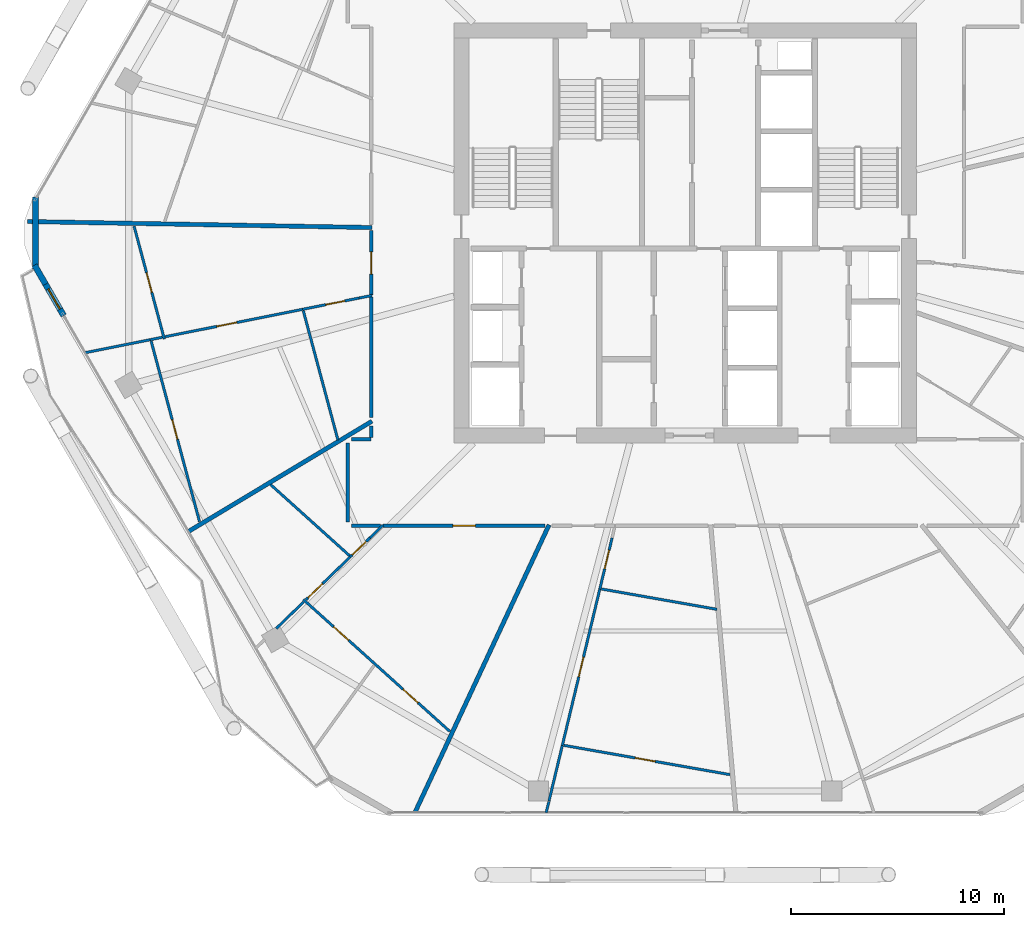
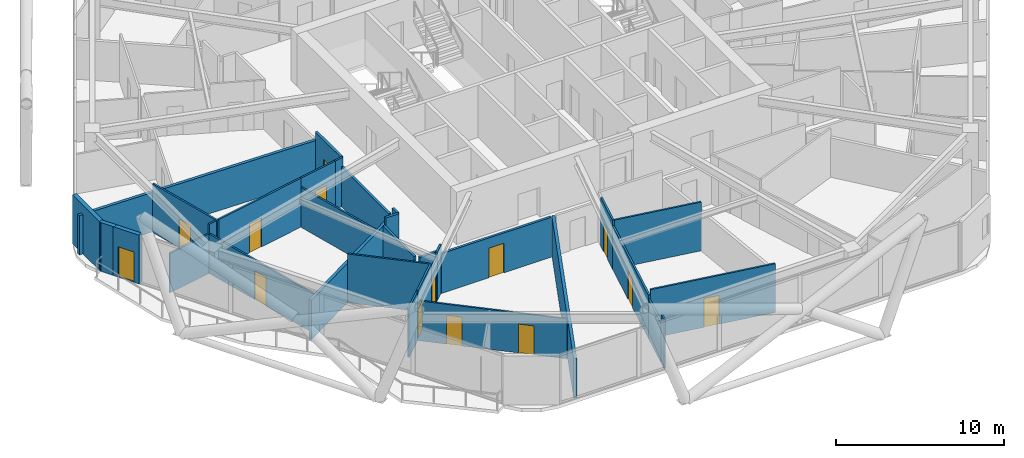
# One storey, part 19 of 27: 33 walls, 14 doors, 14 openings.
"""IFC4 building model written with IfcOpenShell, lengths in metres."""

from ifc_helpers import new_model, si_unit, direction, frame, frame_2d, origin, place, context, subcontext, project, spatial, rectangle, extrude, material, layer, layer_set, type_object, element, fill, save


model = new_model("IFC4")

# Units and contexts
model_context = context("Model", 3, precision=1e-05, world=origin(), true_north=direction((0.0, 1.0)))
body_context = subcontext(model_context, "Body", "Model", "MODEL_VIEW")
ifc_project = project(units=[si_unit("LENGTHUNIT", "METRE"), si_unit("AREAUNIT", "SQUARE_METRE"), si_unit("VOLUMEUNIT", "CUBIC_METRE"), si_unit("PLANEANGLEUNIT", "RADIAN"), si_unit("MASSUNIT", "GRAM", prefix="KILO")], contexts=[model_context])

# Site, building, storey
site_placement = place(None, origin())
site = spatial("IfcSite", under=ifc_project, at=site_placement, CompositionType="ELEMENT")
building_placement = place(site_placement, origin())
building = spatial("IfcBuilding", under=site, at=building_placement, Name="Zuhravey Tower", CompositionType="ELEMENT")
storey_placement = place(building_placement, frame((0.0, 0.0, 215.0)))
storey = spatial("IfcBuildingStorey", under=building, at=storey_placement, Name="L54", CompositionType="ELEMENT", Elevation=215.0)

# Wall, opening, door
ifc_material_1 = material(Name="Gypsum fire-rated stud partition")
ifc_layer_1 = layer(ifc_material_1, 0.159912109375)
ifc_layer_set_1 = layer_set([ifc_layer_1], Name="Gypsum fire-rated stud partition")
wall_type_1 = type_object("IfcWallType", Name="Corridor Fire Partition 160", PredefinedType="PARTITIONING", material=ifc_layer_set_1)
wall_1_placement = place(storey_placement, frame((21.27001953125, 32.1083984375, 0.0), z_axis=(0.0, 0.0, 1.0), x_axis=(0.0, -1.0, 0.0)))
wall_1 = element("IfcWall", 1, at=wall_1_placement, inside=storey, type_object=wall_type_1, Name="L54 IW16 Partition 046", PredefinedType="PARTITIONING", context=body_context, shape_type="SweptSolid", body=[
    extrude(rectangle(XDim=3.02587890625, YDim=0.159912109375, at=frame_2d((1.512939453125, 0.0))), origin(), (0.0, 0.0, 1.0), 3.550048828125),
])
opening_1_placement = place(wall_1_placement, frame((0.988037109375, 0.0, 0.0)))
opening_1 = element("IfcOpeningElement", 2, at=opening_1_placement, cuts=wall_1, Name="Opening APD1", PredefinedType="OPENING", context=body_context, shape_type="SweptSolid", body=[
    extrude(rectangle(XDim=1.050048828125, YDim=2.14990234375, at=frame_2d((0.52490234375, 1.074951171875))), frame((0.0, 0.092041015625, 0.0), z_axis=(0.0, -1.0, 0.0), x_axis=(1.0, 0.0, 0.0)), (0.0, 0.0, 1.0), 0.183837890625),
])
ifc_material_2 = material(Name="Solid-core oak fire-rated leaf")
door_type_1 = type_object("IfcDoorType", Name="Apartment Entrance Fire Door 1050x2150", OperationType="NOTDEFINED", PredefinedType="DOOR", material=ifc_material_2)
door_1_placement = place(opening_1_placement, frame((1.050048828125, 0.0, 0.0), z_axis=(0.0, 0.0, 1.0), x_axis=(-1.0, 0.0, 0.0)))
door_1 = element("IfcDoor", 3, at=door_1_placement, inside=storey, type_object=door_type_1, Name="L54 Door 046.1", OperationType="SINGLE_SWING_RIGHT", OverallHeight=2.14990234375, OverallWidth=1.050048828125, PredefinedType="DOOR", context=body_context, shape_type="SweptSolid", body=[
    extrude(rectangle(XDim=1.050048828125, YDim=2.14990234375, at=frame_2d((0.52490234375, 1.074951171875))), frame((0.0, 0.02490234375, 0.0), z_axis=(0.0, -1.0, 0.0), x_axis=(1.0, 0.0, 0.0)), (0.0, 0.0, 1.0), 0.050048828125),
])
fill(opening_1, door_1)

wall_2_placement = place(storey_placement, frame((21.830810546875, 18.27001953125, 0.0), z_axis=(0.0, 0.0, 1.0), x_axis=(1.0, 0.0, 0.0)))
wall_2 = element("IfcWall", 4, at=wall_2_placement, inside=storey, type_object=wall_type_1, Name="L54 IW16 Partition 051", PredefinedType="PARTITIONING", context=body_context, shape_type="SweptSolid", body=[
    extrude(rectangle(XDim=7.59814453125, YDim=0.159912109375, at=frame_2d((3.799072265625, 0.0))), origin(), (0.0, 0.0, 1.0), 2.89990234375),
])
opening_2_placement = place(wall_2_placement, frame((3.274169921875, 0.0, 0.0)))
opening_2 = element("IfcOpeningElement", 5, at=opening_2_placement, cuts=wall_2, Name="Opening APD1", PredefinedType="OPENING", context=body_context, shape_type="SweptSolid", body=[
    extrude(rectangle(XDim=1.050048828125, YDim=2.14990234375, at=frame_2d((0.52490234375, 1.074951171875))), frame((0.0, 0.092041015625, 0.0), z_axis=(0.0, -1.0, 0.0), x_axis=(1.0, 0.0, 0.0)), (0.0, 0.0, 1.0), 0.183837890625),
])
door_2_placement = place(opening_2_placement, frame((1.050048828125, 0.0, 0.0), z_axis=(0.0, 0.0, 1.0), x_axis=(-1.0, 0.0, 0.0)))
door_2 = element("IfcDoor", 6, at=door_2_placement, inside=storey, type_object=door_type_1, Name="L54 Door 051.1", OperationType="SINGLE_SWING_LEFT", OverallHeight=2.14990234375, OverallWidth=1.050048828125, PredefinedType="DOOR", context=body_context, shape_type="SweptSolid", body=[
    extrude(rectangle(XDim=1.050048828125, YDim=2.14990234375, at=frame_2d((0.52490234375, 1.074951171875))), frame((0.0, 0.02490234375, 0.0), z_axis=(0.0, -1.0, 0.0), x_axis=(1.0, 0.0, 0.0)), (0.0, 0.0, 1.0), 0.050048828125),
])
fill(opening_2, door_2)

# Walls
wall_3_placement = place(storey_placement, frame((21.27001953125, 28.99267578125, 0.0), z_axis=(0.0, 0.0, 1.0), x_axis=(0.0, -1.0, 0.0)))
element("IfcWall", 7, at=wall_3_placement, inside=storey, type_object=wall_type_1, Name="L54 IW16 Partition 129", PredefinedType="PARTITIONING", context=body_context, shape_type="SweptSolid", body=[
    extrude(rectangle(XDim=5.64599609375, YDim=0.159912109375, at=frame_2d((2.822998046875, 0.0))), origin(), (0.0, 0.0, 1.0), 2.89990234375),
])
wall_4_placement = place(storey_placement, frame((20.169921875, 22.14990234375, 0.0), z_axis=(0.0, 0.0, 1.0), x_axis=(0.0, -1.0, 0.0)))
element("IfcWall", 8, at=wall_4_placement, inside=storey, type_object=wall_type_1, Name="L54 IW16 Partition 130", PredefinedType="PARTITIONING", context=body_context, shape_type="SweptSolid", body=[
    extrude(rectangle(XDim=3.699951171875, YDim=0.159912109375, at=frame_2d((1.85009765625, 0.0))), origin(), (0.0, 0.0, 1.0), 3.14990234375),
])
wall_5_placement = place(storey_placement, frame((20.35009765625, 18.27001953125, 0.0), z_axis=(0.0, 0.0, 1.0), x_axis=(1.0, 0.0, 0.0)))
element("IfcWall", 9, at=wall_5_placement, inside=storey, type_object=wall_type_1, Name="L54 IW16 Partition 131", PredefinedType="PARTITIONING", context=body_context, shape_type="SweptSolid", body=[
    extrude(rectangle(XDim=1.35400390625, YDim=0.159912109375, at=frame_2d((0.677001953125, 0.0))), origin(), (0.0, 0.0, 1.0), 3.14990234375),
])
wall_6_placement = place(storey_placement, frame((21.27001953125, 22.330078125, 0.0), z_axis=(0.0, 0.0, 1.0), x_axis=(-1.0, 0.0, 0.0)))
element("IfcWall", 10, at=wall_6_placement, inside=storey, type_object=wall_type_1, Name="L54 IW16 Partition 132", PredefinedType="PARTITIONING", context=body_context, shape_type="SweptSolid", body=[
    extrude(rectangle(XDim=0.919921875, YDim=0.159912109375, at=frame_2d((0.4599609375, 0.0))), origin(), (0.0, 0.0, 1.0), 3.550048828125),
])
wall_7_placement = place(storey_placement, frame((21.27001953125, 22.949951171875, 0.0), z_axis=(0.0, 0.0, 1.0), x_axis=(0.0, -1.0, 0.0)))
element("IfcWall", 11, at=wall_7_placement, inside=storey, type_object=wall_type_1, Name="L54 IW16 Partition 133", PredefinedType="PARTITIONING", context=body_context, shape_type="SweptSolid", body=[
    extrude(rectangle(XDim=0.531982421875, YDim=0.159912109375, at=frame_2d((0.26611328125, 0.0))), origin(), (0.0, 0.0, 1.0), 3.550048828125),
])

# Wall, opening, door
ifc_material_3 = material(Name="Precast concrete C40/50", Category="concrete")
ifc_layer_2 = layer(ifc_material_3, 0.280029296875)
ifc_layer_set_2 = layer_set([ifc_layer_2], Name="Precast concrete C40/50")
wall_type_2 = type_object("IfcWallType", Name="Crown Architectural Wall 280", PredefinedType="SOLIDWALL", material=ifc_layer_set_2)
wall_8_placement = place(storey_placement, frame((6.847412109375, 28.127197265625, 0.0), z_axis=(0.0, 0.0, 1.0), x_axis=(-0.499982180423, 0.866035691677, 0.0)))
wall_8 = element("IfcWall", 12, at=wall_8_placement, inside=storey, type_object=wall_type_2, Name="L54 Face 4 Facade Pier EW28-1", PredefinedType="SOLIDWALL", context=body_context, shape_type="SweptSolid", body=[
    extrude(rectangle(XDim=1.7900390625, YDim=0.280029296875, at=frame_2d((0.89501953125, 0.0))), origin(), (0.0, 0.0, 1.0), 3.550048828125),
])
opening_3_placement = place(wall_8_placement, frame((0.344970703125, 0.0, 0.0)))
opening_3 = element("IfcOpeningElement", 13, at=opening_3_placement, cuts=wall_8, Name="Opening BLD1", PredefinedType="OPENING", context=body_context, shape_type="SweptSolid", body=[
    extrude(rectangle(XDim=1.10009765625, YDim=2.199951171875, at=frame_2d((0.550048828125, 1.10009765625))), frame((0.0, 0.152099609375, 0.0), z_axis=(0.0, -1.0, 0.0), x_axis=(1.0, 0.0, 0.0)), (0.0, 0.0, 1.0), 0.303955078125),
])
ifc_material_4 = material(Name="Thermally broken aluminium and low-E glass", Category="aluminium")
door_type_2 = type_object("IfcDoorType", Name="Balcony & Sky-Tray Glazed Door 1100x2200", OperationType="NOTDEFINED", PredefinedType="DOOR", material=ifc_material_4)
door_3_placement = place(opening_3_placement, frame((1.10009765625, 0.0, 0.0), z_axis=(0.0, 0.0, 1.0), x_axis=(-1.0, 0.0, 0.0)))
door_3 = element("IfcDoor", 14, at=door_3_placement, inside=storey, type_object=door_type_2, Name="L54 Face 4 Wave Balcony Door", OperationType="SINGLE_SWING_LEFT", OverallHeight=2.199951171875, OverallWidth=1.10009765625, PredefinedType="DOOR", context=body_context, shape_type="SweptSolid", body=[
    extrude(rectangle(XDim=1.10009765625, YDim=2.199951171875, at=frame_2d((0.550048828125, 1.10009765625))), frame((0.0, 0.02490234375, 0.0), z_axis=(0.0, -1.0, 0.0), x_axis=(1.0, 0.0, 0.0)), (0.0, 0.0, 1.0), 0.050048828125),
])
fill(opening_3, door_3)

# Walls
wall_9_placement = place(storey_placement, frame((5.99755859375, 29.599609375, 0.0), z_axis=(0.0, 0.0, 1.0), x_axis=(-0.499974592989, 0.866040072032, 0.0)))
element("IfcWall", 15, at=wall_9_placement, inside=storey, type_object=wall_type_2, Name="L54 Face 4 Closure Pier EW28", PredefinedType="SOLIDWALL", context=body_context, shape_type="SweptSolid", body=[
    extrude(rectangle(XDim=1.03369140625, YDim=0.280029296875, at=frame_2d((0.516845703125, 0.0))), origin(), (0.0, 0.0, 1.0), 3.550048828125),
])
wall_10_placement = place(storey_placement, frame((5.5283203125, 30.3173828125, 0.0), z_axis=(0.0, 0.0, 1.0), x_axis=(0.0, 1.0, 0.0)))
element("IfcWall", 16, at=wall_10_placement, inside=storey, type_object=wall_type_2, Name="L54 Rounded Corner Closure Wall EW28-06", PredefinedType="SOLIDWALL", context=body_context, shape_type="SweptSolid", body=[
    extrude(rectangle(XDim=3.365234375, YDim=0.280029296875, at=frame_2d((1.6826171875, 0.0))), origin(), (0.0, 0.0, 1.0), 3.550048828125),
])
ifc_material_5 = material(Name="Gypsum double-stud party assembly")
ifc_layer_3 = layer(ifc_material_5, 0.199951171875)
ifc_layer_set_3 = layer_set([ifc_layer_3], Name="Gypsum double-stud party assembly")
wall_type_3 = type_object("IfcWallType", Name="Inter-Tenancy Party Wall 200", PredefinedType="PARTITIONING", material=ifc_layer_set_3)
wall_11_placement = place(storey_placement, frame((21.31005859375, 32.25634765625, 0.0), z_axis=(0.0, 0.0, 1.0), x_axis=(-0.999847675861, 0.017453511821, 0.0)))
element("IfcWall", 17, at=wall_11_placement, inside=storey, type_object=wall_type_3, Name="L54 IW20 Partition 095", PredefinedType="PARTITIONING", context=body_context, shape_type="SweptSolid", body=[
    extrude(rectangle(XDim=16.170166015625, YDim=0.199951171875, at=frame_2d((8.0849609375, 0.0))), origin(), (0.0, 0.0, 1.0), 2.8701171875),
])
wall_12_placement = place(storey_placement, frame((21.31005859375, 23.17333984375, 0.0), z_axis=(0.0, 0.0, 1.0), x_axis=(-0.857169072729, -0.515035125751, 0.0)))
element("IfcWall", 18, at=wall_12_placement, inside=storey, type_object=wall_type_3, Name="L54 IW20 Partition 099", PredefinedType="PARTITIONING", context=body_context, shape_type="SweptSolid", body=[
    extrude(rectangle(XDim=10.04931640625, YDim=0.199951171875, at=frame_2d((5.024658203125, 0.0))), origin(), (0.0, 0.0, 1.0), 2.8701171875),
])
wall_13_placement = place(storey_placement, frame((29.6162109375, 18.31005859375, 0.0), z_axis=(0.0, 0.0, 1.0), x_axis=(-0.422619721154, -0.9063071065, 0.0)))
element("IfcWall", 19, at=wall_13_placement, inside=storey, type_object=wall_type_3, Name="L54 IW20 Partition 104", PredefinedType="PARTITIONING", context=body_context, shape_type="SweptSolid", body=[
    extrude(rectangle(XDim=14.88818359375, YDim=0.199951171875, at=frame_2d((7.444091796875, 0.0))), origin(), (0.0, 0.0, 1.0), 2.8701171875),
])

# Wall, opening, door
ifc_material_6 = material(Name="Gypsum metal-stud partition")
ifc_layer_4 = layer(ifc_material_6, 0.1201171875)
ifc_layer_set_4 = layer_set([ifc_layer_4], Name="Gypsum metal-stud partition")
wall_type_4 = type_object("IfcWallType", Name="Unit Internal Partition 120", PredefinedType="PARTITIONING", material=ifc_layer_set_4)
wall_14_placement = place(storey_placement, frame((10.149169921875, 32.32568359375, 0.0), z_axis=(0.0, 0.0, 1.0), x_axis=(0.258800576513, -0.965930774743, 0.0)))
wall_14 = element("IfcWall", 20, at=wall_14_placement, inside=storey, type_object=wall_type_4, Name="L54 IW12 Partition 041", PredefinedType="PARTITIONING", context=body_context, shape_type="SweptSolid", body=[
    extrude(rectangle(XDim=5.487548828125, YDim=0.1201171875, at=frame_2d((2.74365234375, 0.0))), origin(), (0.0, 0.0, 1.0), 3.550048828125),
])
opening_4_placement = place(wall_14_placement, frame((2.268798828125, 0.0, 0.0)))
opening_4 = element("IfcOpeningElement", 21, at=opening_4_placement, cuts=wall_14, Name="Opening IND1", PredefinedType="OPENING", context=body_context, shape_type="SweptSolid", body=[
    extrude(rectangle(XDim=0.949951171875, YDim=2.10009765625, at=frame_2d((0.47509765625, 1.050048828125))), frame((0.0, 0.072021484375, 0.0), z_axis=(0.0, -1.0, 0.0), x_axis=(1.0, 0.0, 0.0)), (0.0, 0.0, 1.0), 0.14404296875),
])
ifc_material_7 = material(Name="Painted engineered timber leaf", Category="wood")
door_type_3 = type_object("IfcDoorType", Name="Internal Room & Bedroom Door 950x2100", OperationType="NOTDEFINED", PredefinedType="DOOR", material=ifc_material_7)
door_4_placement = place(opening_4_placement, frame((0.949951171875, 0.0, 0.0), z_axis=(0.0, 0.0, 1.0), x_axis=(-1.0, 0.0, 0.0)))
door_4 = element("IfcDoor", 22, at=door_4_placement, inside=storey, type_object=door_type_3, Name="Apartment L54-05 Family Study Door", OperationType="SINGLE_SWING_RIGHT", OverallHeight=2.10009765625, OverallWidth=0.949951171875, PredefinedType="DOOR", context=body_context, shape_type="SweptSolid", body=[
    extrude(rectangle(XDim=0.949951171875, YDim=2.10009765625, at=frame_2d((0.47509765625, 1.050048828125))), frame((0.0, 0.02490234375, 0.0), z_axis=(0.0, -1.0, 0.0), x_axis=(1.0, 0.0, 0.0)), (0.0, 0.0, 1.0), 0.050048828125),
])
fill(opening_4, door_4)

wall_15_placement = place(storey_placement, frame((20.699951171875, 28.9482421875, 0.0), z_axis=(0.0, 0.0, 1.0), x_axis=(-0.980691538162, -0.19556100577, 0.0)))
wall_15 = element("IfcWall", 23, at=wall_15_placement, inside=storey, type_object=wall_type_4, Name="L54 IW12 Partition 042", PredefinedType="PARTITIONING", context=body_context, shape_type="SweptSolid", body=[
    extrude(rectangle(XDim=2.70654296875, YDim=0.1201171875, at=frame_2d((1.353271484375, 0.0))), origin(), (0.0, 0.0, 1.0), 3.550048828125),
])
opening_5_placement = place(wall_15_placement, frame((0.686767578125, 0.0, 0.0)))
opening_5 = element("IfcOpeningElement", 24, at=opening_5_placement, cuts=wall_15, Name="Opening WCD1", PredefinedType="OPENING", context=body_context, shape_type="SweptSolid", body=[
    extrude(rectangle(XDim=0.89990234375, YDim=2.10009765625, at=frame_2d((0.449951171875, 1.050048828125))), frame((0.0, 0.072021484375, 0.0), z_axis=(0.0, -1.0, 0.0), x_axis=(1.0, 0.0, 0.0)), (0.0, 0.0, 1.0), 0.14404296875),
])
ifc_material_8 = material(Name="Moisture-resistant timber leaf", Category="wood")
door_type_4 = type_object("IfcDoorType", Name="Bathroom & WC Internal Door 900x2100", OperationType="NOTDEFINED", PredefinedType="DOOR", material=ifc_material_8)
door_5_placement = place(opening_5_placement, origin())
door_5 = element("IfcDoor", 25, at=door_5_placement, inside=storey, type_object=door_type_4, Name="Apartment L54-05 Bathroom Door", OperationType="SINGLE_SWING_LEFT", OverallHeight=2.10009765625, OverallWidth=0.89990234375, PredefinedType="DOOR", context=body_context, shape_type="SweptSolid", body=[
    extrude(rectangle(XDim=0.89990234375, YDim=2.10009765625, at=frame_2d((0.449951171875, 1.050048828125))), frame((0.0, 0.02490234375, 0.0), z_axis=(0.0, -1.0, 0.0), x_axis=(1.0, 0.0, 0.0)), (0.0, 0.0, 1.0), 0.050048828125),
])
fill(opening_5, door_5)

wall_16_placement = place(storey_placement, frame((18.045654296875, 28.4189453125, 0.0), z_axis=(0.0, 0.0, 1.0), x_axis=(-0.980686423889, -0.195586650874, 0.0)))
wall_16 = element("IfcWall", 26, at=wall_16_placement, inside=storey, type_object=wall_type_4, Name="L54 IW12 Partition 043", PredefinedType="PARTITIONING", context=body_context, shape_type="SweptSolid", body=[
    extrude(rectangle(XDim=6.56201171875, YDim=0.1201171875, at=frame_2d((3.281005859375, 0.0))), origin(), (0.0, 0.0, 1.0), 3.550048828125),
])
opening_6_placement = place(wall_16_placement, frame((3.138916015625, 0.0, 0.0)))
opening_6 = element("IfcOpeningElement", 27, at=opening_6_placement, cuts=wall_16, Name="Opening IND1", PredefinedType="OPENING", context=body_context, shape_type="SweptSolid", body=[
    extrude(rectangle(XDim=0.949951171875, YDim=2.10009765625, at=frame_2d((0.47509765625, 1.050048828125))), frame((0.0, 0.072021484375, 0.0), z_axis=(0.0, -1.0, 0.0), x_axis=(1.0, 0.0, 0.0)), (0.0, 0.0, 1.0), 0.14404296875),
])
door_6_placement = place(opening_6_placement, origin())
door_6 = element("IfcDoor", 28, at=door_6_placement, inside=storey, type_object=door_type_3, Name="Apartment L54-05 Home Office Door", OperationType="SINGLE_SWING_RIGHT", OverallHeight=2.10009765625, OverallWidth=0.949951171875, PredefinedType="DOOR", context=body_context, shape_type="SweptSolid", body=[
    extrude(rectangle(XDim=0.949951171875, YDim=2.10009765625, at=frame_2d((0.47509765625, 1.050048828125))), frame((0.0, 0.02490234375, 0.0), z_axis=(0.0, -1.0, 0.0), x_axis=(1.0, 0.0, 0.0)), (0.0, 0.0, 1.0), 0.050048828125),
])
fill(opening_6, door_6)

# Wall
wall_17_placement = place(storey_placement, frame((11.4765625, 27.108642578125, 0.0), z_axis=(0.0, 0.0, 1.0), x_axis=(-0.980710082195, -0.195467988891, 0.0)))
element("IfcWall", 29, at=wall_17_placement, inside=storey, type_object=wall_type_4, Name="L54 IW12 Partition 044", PredefinedType="PARTITIONING", context=body_context, shape_type="SweptSolid", body=[
    extrude(rectangle(XDim=0.57958984375, YDim=0.1201171875, at=frame_2d((0.289794921875, 0.0))), origin(), (0.0, 0.0, 1.0), 3.550048828125),
])

# Wall, opening, door
wall_18_placement = place(storey_placement, frame((10.9501953125, 26.934326171875, 0.0), z_axis=(0.0, 0.0, 1.0), x_axis=(0.258814953738, -0.965926922558, 0.0)))
wall_18 = element("IfcWall", 30, at=wall_18_placement, inside=storey, type_object=wall_type_4, Name="L54 IW12 Partition 045", PredefinedType="PARTITIONING", context=body_context, shape_type="SweptSolid", body=[
    extrude(rectangle(XDim=8.76806640625, YDim=0.1201171875, at=frame_2d((4.384033203125, 0.0))), origin(), (0.0, 0.0, 1.0), 2.8701171875),
])
opening_7_placement = place(wall_18_placement, frame((3.82470703125, 0.0, 0.0)))
opening_7 = element("IfcOpeningElement", 31, at=opening_7_placement, cuts=wall_18, Name="Opening IND1", PredefinedType="OPENING", context=body_context, shape_type="SweptSolid", body=[
    extrude(rectangle(XDim=0.949951171875, YDim=2.10009765625, at=frame_2d((0.47509765625, 1.050048828125))), frame((0.0, 0.072021484375, 0.0), z_axis=(0.0, -1.0, 0.0), x_axis=(1.0, 0.0, 0.0)), (0.0, 0.0, 1.0), 0.14404296875),
])
door_7_placement = place(opening_7_placement, frame((0.949951171875, 0.0, 0.0), z_axis=(0.0, 0.0, 1.0), x_axis=(-1.0, 0.0, 0.0)))
door_7 = element("IfcDoor", 32, at=door_7_placement, inside=storey, type_object=door_type_3, Name="Apartment L54-05 Kitchen Door", OperationType="SINGLE_SWING_LEFT", OverallHeight=2.10009765625, OverallWidth=0.949951171875, PredefinedType="DOOR", context=body_context, shape_type="SweptSolid", body=[
    extrude(rectangle(XDim=0.949951171875, YDim=2.10009765625, at=frame_2d((0.47509765625, 1.050048828125))), frame((0.0, 0.02490234375, 0.0), z_axis=(0.0, -1.0, 0.0), x_axis=(1.0, 0.0, 0.0)), (0.0, 0.0, 1.0), 0.050048828125),
])
fill(opening_7, door_7)

# Wall, openings, doors
wall_19_placement = place(storey_placement, frame((18.08447265625, 14.81396484375, 0.0), z_axis=(0.0, 0.0, 1.0), x_axis=(0.743144556546, -0.669130905037, 0.0)))
wall_19 = element("IfcWall", 33, at=wall_19_placement, inside=storey, type_object=wall_type_4, Name="L54 IW12 Partition 047", PredefinedType="PARTITIONING", context=body_context, shape_type="SweptSolid", body=[
    extrude(rectangle(XDim=9.25244140625, YDim=0.1201171875, at=frame_2d((4.626220703125, 0.0))), origin(), (0.0, 0.0, 1.0), 2.89990234375),
])
opening_8_placement = place(wall_19_placement, frame((1.9130859375, 0.0, 0.0)))
opening_8 = element("IfcOpeningElement", 34, at=opening_8_placement, cuts=wall_19, Name="Opening IND1", PredefinedType="OPENING", context=body_context, shape_type="SweptSolid", body=[
    extrude(rectangle(XDim=0.949951171875, YDim=2.10009765625, at=frame_2d((0.47509765625, 1.050048828125))), frame((0.0, 0.072021484375, 0.0), z_axis=(0.0, -1.0, 0.0), x_axis=(1.0, 0.0, 0.0)), (0.0, 0.0, 1.0), 0.14404296875),
])
opening_9_placement = place(wall_19_placement, frame((6.298583984375, 0.0, 0.0)))
opening_9 = element("IfcOpeningElement", 35, at=opening_9_placement, cuts=wall_19, Name="Opening IND1", PredefinedType="OPENING", context=body_context, shape_type="SweptSolid", body=[
    extrude(rectangle(XDim=0.949951171875, YDim=2.10009765625, at=frame_2d((0.47509765625, 1.050048828125))), frame((0.0, 0.072021484375, 0.0), z_axis=(0.0, -1.0, 0.0), x_axis=(1.0, 0.0, 0.0)), (0.0, 0.0, 1.0), 0.14404296875),
])
door_8_placement = place(opening_8_placement, frame((0.949951171875, 0.0, 0.0), z_axis=(0.0, 0.0, 1.0), x_axis=(-1.0, 0.0, 0.0)))
door_8 = element("IfcDoor", 36, at=door_8_placement, inside=storey, type_object=door_type_3, Name="Apartment L54-06 Family Study Door", OperationType="SINGLE_SWING_LEFT", OverallHeight=2.10009765625, OverallWidth=0.949951171875, PredefinedType="DOOR", context=body_context, shape_type="SweptSolid", body=[
    extrude(rectangle(XDim=0.949951171875, YDim=2.10009765625, at=frame_2d((0.47509765625, 1.050048828125))), frame((0.0, 0.02490234375, 0.0), z_axis=(0.0, -1.0, 0.0), x_axis=(1.0, 0.0, 0.0)), (0.0, 0.0, 1.0), 0.050048828125),
])
fill(opening_8, door_8)
door_9_placement = place(opening_9_placement, frame((0.949951171875, 0.0, 0.0), z_axis=(0.0, 0.0, 1.0), x_axis=(-1.0, 0.0, 0.0)))
door_9 = element("IfcDoor", 37, at=door_9_placement, inside=storey, type_object=door_type_3, Name="Apartment L54-06 Dining Room Door", OperationType="SINGLE_SWING_RIGHT", OverallHeight=2.10009765625, OverallWidth=0.949951171875, PredefinedType="DOOR", context=body_context, shape_type="SweptSolid", body=[
    extrude(rectangle(XDim=0.949951171875, YDim=2.10009765625, at=frame_2d((0.47509765625, 1.050048828125))), frame((0.0, 0.02490234375, 0.0), z_axis=(0.0, -1.0, 0.0), x_axis=(1.0, 0.0, 0.0)), (0.0, 0.0, 1.0), 0.050048828125),
])
fill(opening_9, door_9)

# Wall, opening, door
wall_20_placement = place(storey_placement, frame((21.212646484375, 17.699951171875, 0.0), z_axis=(0.0, 0.0, 1.0), x_axis=(-0.718947330121, -0.695064555643, 0.0)))
wall_20 = element("IfcWall", 38, at=wall_20_placement, inside=storey, type_object=wall_type_4, Name="L54 IW12 Partition 048", PredefinedType="PARTITIONING", context=body_context, shape_type="SweptSolid", body=[
    extrude(rectangle(XDim=1.2880859375, YDim=0.1201171875, at=frame_2d((0.64404296875, 0.0))), origin(), (0.0, 0.0, 1.0), 3.14990234375),
])
opening_10_placement = place(wall_20_placement, frame((0.248046875, 0.0, 0.0)))
opening_10 = element("IfcOpeningElement", 39, at=opening_10_placement, cuts=wall_20, Name="Opening WCD1", PredefinedType="OPENING", context=body_context, shape_type="SweptSolid", body=[
    extrude(rectangle(XDim=0.89990234375, YDim=2.10009765625, at=frame_2d((0.449951171875, 1.050048828125))), frame((0.0, 0.072021484375, 0.0), z_axis=(0.0, -1.0, 0.0), x_axis=(1.0, 0.0, 0.0)), (0.0, 0.0, 1.0), 0.14404296875),
])
door_10_placement = place(opening_10_placement, frame((0.89990234375, 0.0, 0.0), z_axis=(0.0, 0.0, 1.0), x_axis=(-1.0, 0.0, 0.0)))
door_10 = element("IfcDoor", 40, at=door_10_placement, inside=storey, type_object=door_type_4, Name="Apartment L54-06 Bathroom Door", OperationType="SINGLE_SWING_LEFT", OverallHeight=2.10009765625, OverallWidth=0.89990234375, PredefinedType="DOOR", context=body_context, shape_type="SweptSolid", body=[
    extrude(rectangle(XDim=0.89990234375, YDim=2.10009765625, at=frame_2d((0.449951171875, 1.050048828125))), frame((0.0, 0.02490234375, 0.0), z_axis=(0.0, -1.0, 0.0), x_axis=(1.0, 0.0, 0.0)), (0.0, 0.0, 1.0), 0.050048828125),
])
fill(opening_10, door_10)

wall_21_placement = place(storey_placement, frame((20.28662109375, 16.8046875, 0.0), z_axis=(0.0, 0.0, 1.0), x_axis=(-0.718785844337, -0.695231551341, 0.0)))
wall_21 = element("IfcWall", 41, at=wall_21_placement, inside=storey, type_object=wall_type_4, Name="L54 IW12 Partition 049", PredefinedType="PARTITIONING", context=body_context, shape_type="SweptSolid", body=[
    extrude(rectangle(XDim=2.891845703125, YDim=0.1201171875, at=frame_2d((1.44580078125, 0.0))), origin(), (0.0, 0.0, 1.0), 3.550048828125),
])
opening_11_placement = place(wall_21_placement, frame((1.8017578125, 0.0, 0.0)))
opening_11 = element("IfcOpeningElement", 42, at=opening_11_placement, cuts=wall_21, Name="Opening IND1", PredefinedType="OPENING", context=body_context, shape_type="SweptSolid", body=[
    extrude(rectangle(XDim=0.949951171875, YDim=2.10009765625, at=frame_2d((0.47509765625, 1.050048828125))), frame((0.0, 0.072021484375, 0.0), z_axis=(0.0, -1.0, 0.0), x_axis=(1.0, 0.0, 0.0)), (0.0, 0.0, 1.0), 0.14404296875),
])
door_11_placement = place(opening_11_placement, frame((0.949951171875, 0.0, 0.0), z_axis=(0.0, 0.0, 1.0), x_axis=(-1.0, 0.0, 0.0)))
door_11 = element("IfcDoor", 43, at=door_11_placement, inside=storey, type_object=door_type_3, Name="Apartment L54-06 Bedroom 1 Door", OperationType="SINGLE_SWING_RIGHT", OverallHeight=2.10009765625, OverallWidth=0.949951171875, PredefinedType="DOOR", context=body_context, shape_type="SweptSolid", body=[
    extrude(rectangle(XDim=0.949951171875, YDim=2.10009765625, at=frame_2d((0.47509765625, 1.050048828125))), frame((0.0, 0.02490234375, 0.0), z_axis=(0.0, -1.0, 0.0), x_axis=(1.0, 0.0, 0.0)), (0.0, 0.0, 1.0), 0.050048828125),
])
fill(opening_11, door_11)

# Wall
wall_22_placement = place(storey_placement, frame((18.10986328125, 14.699462890625, 0.0), z_axis=(0.0, 0.0, 1.0), x_axis=(-0.718877639203, -0.695136633946, 0.0)))
element("IfcWall", 44, at=wall_22_placement, inside=storey, type_object=wall_type_4, Name="L54 IW12 Partition 050", PredefinedType="PARTITIONING", context=body_context, shape_type="SweptSolid", body=[
    extrude(rectangle(XDim=1.799560546875, YDim=0.1201171875, at=frame_2d((0.89990234375, 0.0))), origin(), (0.0, 0.0, 1.0), 3.550048828125),
])

# Wall, opening, door
wall_23_placement = place(storey_placement, frame((32.572265625, 17.699951171875, 0.0), z_axis=(0.0, 0.0, 1.0), x_axis=(-0.233175311753, -0.972434714512, 0.0)))
wall_23 = element("IfcWall", 45, at=wall_23_placement, inside=storey, type_object=wall_type_4, Name="L54 IW12 Partition 052", PredefinedType="PARTITIONING", context=body_context, shape_type="SweptSolid", body=[
    extrude(rectangle(XDim=2.476318359375, YDim=0.1201171875, at=frame_2d((1.23828125, 0.0))), origin(), (0.0, 0.0, 1.0), 3.550048828125),
])
opening_12_placement = place(wall_23_placement, frame((0.590087890625, 0.0, 0.0)))
opening_12 = element("IfcOpeningElement", 46, at=opening_12_placement, cuts=wall_23, Name="Opening WCD1", PredefinedType="OPENING", context=body_context, shape_type="SweptSolid", body=[
    extrude(rectangle(XDim=0.89990234375, YDim=2.10009765625, at=frame_2d((0.449951171875, 1.050048828125))), frame((0.0, 0.072021484375, 0.0), z_axis=(0.0, -1.0, 0.0), x_axis=(1.0, 0.0, 0.0)), (0.0, 0.0, 1.0), 0.14404296875),
])
door_12_placement = place(opening_12_placement, origin())
door_12 = element("IfcDoor", 47, at=door_12_placement, inside=storey, type_object=door_type_4, Name="Apartment L54-07 Bathroom Door", OperationType="SINGLE_SWING_RIGHT", OverallHeight=2.10009765625, OverallWidth=0.89990234375, PredefinedType="DOOR", context=body_context, shape_type="SweptSolid", body=[
    extrude(rectangle(XDim=0.89990234375, YDim=2.10009765625, at=frame_2d((0.449951171875, 1.050048828125))), frame((0.0, 0.02490234375, 0.0), z_axis=(0.0, -1.0, 0.0), x_axis=(1.0, 0.0, 0.0)), (0.0, 0.0, 1.0), 0.050048828125),
])
fill(opening_12, door_12)

wall_24_placement = place(storey_placement, frame((31.994873046875, 15.2919921875, 0.0), z_axis=(0.0, 0.0, 1.0), x_axis=(-0.233088957709, -0.972455416867, 0.0)))
wall_24 = element("IfcWall", 48, at=wall_24_placement, inside=storey, type_object=wall_type_4, Name="L54 IW12 Partition 053", PredefinedType="PARTITIONING", context=body_context, shape_type="SweptSolid", body=[
    extrude(rectangle(XDim=7.54345703125, YDim=0.1201171875, at=frame_2d((3.771728515625, 0.0))), origin(), (0.0, 0.0, 1.0), 3.14990234375),
])
opening_13_placement = place(wall_24_placement, frame((3.271484375, 0.0, 0.0)))
opening_13 = element("IfcOpeningElement", 49, at=opening_13_placement, cuts=wall_24, Name="Opening IND1", PredefinedType="OPENING", context=body_context, shape_type="SweptSolid", body=[
    extrude(rectangle(XDim=0.949951171875, YDim=2.10009765625, at=frame_2d((0.47509765625, 1.050048828125))), frame((0.0, 0.072021484375, 0.0), z_axis=(0.0, -1.0, 0.0), x_axis=(1.0, 0.0, 0.0)), (0.0, 0.0, 1.0), 0.14404296875),
])
door_13_placement = place(opening_13_placement, origin())
door_13 = element("IfcDoor", 50, at=door_13_placement, inside=storey, type_object=door_type_3, Name="Apartment L54-07 Home Office Door", OperationType="SINGLE_SWING_LEFT", OverallHeight=2.10009765625, OverallWidth=0.949951171875, PredefinedType="DOOR", context=body_context, shape_type="SweptSolid", body=[
    extrude(rectangle(XDim=0.949951171875, YDim=2.10009765625, at=frame_2d((0.47509765625, 1.050048828125))), frame((0.0, 0.02490234375, 0.0), z_axis=(0.0, -1.0, 0.0), x_axis=(1.0, 0.0, 0.0)), (0.0, 0.0, 1.0), 0.050048828125),
])
fill(opening_13, door_13)

wall_25_placement = place(storey_placement, frame((30.309326171875, 7.968994140625, 0.0), z_axis=(0.0, 0.0, 1.0), x_axis=(0.984804679172, -0.17366560938, 0.0)))
wall_25 = element("IfcWall", 51, at=wall_25_placement, inside=storey, type_object=wall_type_4, Name="L54 IW12 Partition 054", PredefinedType="PARTITIONING", context=body_context, shape_type="SweptSolid", body=[
    extrude(rectangle(XDim=7.910400390625, YDim=0.1201171875, at=frame_2d((3.955078125, 0.0))), origin(), (0.0, 0.0, 1.0), 3.550048828125),
])
opening_14_placement = place(wall_25_placement, frame((3.39599609375, 0.0, 0.0)))
opening_14 = element("IfcOpeningElement", 52, at=opening_14_placement, cuts=wall_25, Name="Opening IND1", PredefinedType="OPENING", context=body_context, shape_type="SweptSolid", body=[
    extrude(rectangle(XDim=0.949951171875, YDim=2.10009765625, at=frame_2d((0.47509765625, 1.050048828125))), frame((0.0, 0.072021484375, 0.0), z_axis=(0.0, -1.0, 0.0), x_axis=(1.0, 0.0, 0.0)), (0.0, 0.0, 1.0), 0.14404296875),
])
door_14_placement = place(opening_14_placement, frame((0.949951171875, 0.0, 0.0), z_axis=(0.0, 0.0, 1.0), x_axis=(-1.0, 0.0, 0.0)))
door_14 = element("IfcDoor", 53, at=door_14_placement, inside=storey, type_object=door_type_3, Name="Apartment L54-07 Kitchen Door", OperationType="SINGLE_SWING_RIGHT", OverallHeight=2.10009765625, OverallWidth=0.949951171875, PredefinedType="DOOR", context=body_context, shape_type="SweptSolid", body=[
    extrude(rectangle(XDim=0.949951171875, YDim=2.10009765625, at=frame_2d((0.47509765625, 1.050048828125))), frame((0.0, 0.02490234375, 0.0), z_axis=(0.0, -1.0, 0.0), x_axis=(1.0, 0.0, 0.0)), (0.0, 0.0, 1.0), 0.050048828125),
])
fill(opening_14, door_14)

# Walls
wall_26_placement = place(storey_placement, frame((21.314453125, 29.07080078125, 0.0), z_axis=(0.0, 0.0, 1.0), x_axis=(-0.980685434384, -0.195591612261, 0.0)))
element("IfcWall", 54, at=wall_26_placement, inside=storey, type_object=wall_type_4, Name="L54 IW12 Partition 096", PredefinedType="PARTITIONING", context=body_context, shape_type="SweptSolid", body=[
    extrude(rectangle(XDim=0.626708984375, YDim=0.1201171875, at=frame_2d((0.3134765625, 0.0))), origin(), (0.0, 0.0, 1.0), 3.550048828125),
])
wall_27_placement = place(storey_placement, frame((10.908203125, 26.9951171875, 0.0), z_axis=(0.0, 0.0, 1.0), x_axis=(-0.98068589365, -0.195589309516, 0.0)))
element("IfcWall", 55, at=wall_27_placement, inside=storey, type_object=wall_type_4, Name="L54 IW12 Partition 097", PredefinedType="PARTITIONING", context=body_context, shape_type="SweptSolid", body=[
    extrude(rectangle(XDim=3.119384765625, YDim=0.1201171875, at=frame_2d((1.5595703125, 0.0))), origin(), (0.0, 0.0, 1.0), 2.8701171875),
])
wall_28_placement = place(storey_placement, frame((18.087646484375, 28.35791015625, 0.0), z_axis=(0.0, 0.0, 1.0), x_axis=(0.258816385885, -0.96592653882, 0.0)))
element("IfcWall", 56, at=wall_28_placement, inside=storey, type_object=wall_type_4, Name="L54 IW12 Partition 098", PredefinedType="PARTITIONING", context=body_context, shape_type="SweptSolid", body=[
    extrude(rectangle(XDim=6.281494140625, YDim=0.1201171875, at=frame_2d((3.140625, 0.0))), origin(), (0.0, 0.0, 1.0), 2.89990234375),
])
wall_29_placement = place(storey_placement, frame((21.830810546875, 18.2978515625, 0.0), z_axis=(0.0, 0.0, 1.0), x_axis=(-0.718789743291, -0.695227520269, 0.0)))
element("IfcWall", 57, at=wall_29_placement, inside=storey, type_object=wall_type_4, Name="L54 IW12 Partition 101", PredefinedType="PARTITIONING", context=body_context, shape_type="SweptSolid", body=[
    extrude(rectangle(XDim=0.860107421875, YDim=0.1201171875, at=frame_2d((0.43017578125, 0.0))), origin(), (0.0, 0.0, 1.0), 3.550048828125),
])
wall_30_placement = place(storey_placement, frame((16.560302734375, 20.193603515625, 0.0), z_axis=(0.0, 0.0, 1.0), x_axis=(0.743147590053, -0.669127535974, 0.0)))
element("IfcWall", 58, at=wall_30_placement, inside=storey, type_object=wall_type_4, Name="L54 IW12 Partition 103", PredefinedType="PARTITIONING", context=body_context, shape_type="SweptSolid", body=[
    extrude(rectangle(XDim=4.970458984375, YDim=0.1201171875, at=frame_2d((2.4853515625, 0.0))), origin(), (0.0, 0.0, 1.0), 3.550048828125),
])
wall_31_placement = place(storey_placement, frame((30.236572265625, 7.956298828125, 0.0), z_axis=(0.0, 0.0, 1.0), x_axis=(-0.233117483648, -0.972448579009, 0.0)))
element("IfcWall", 59, at=wall_31_placement, inside=storey, type_object=wall_type_4, Name="L54 IW12 Partition 106", PredefinedType="PARTITIONING", context=body_context, shape_type="SweptSolid", body=[
    extrude(rectangle(XDim=2.6748046875, YDim=0.1201171875, at=frame_2d((1.33740234375, 0.0))), origin(), (0.0, 0.0, 1.0), 2.8701171875),
])
wall_32_placement = place(storey_placement, frame((29.607666015625, 5.3330078125, 0.0), z_axis=(0.0, 0.0, 1.0), x_axis=(-0.233079669616, -0.972457643094, 0.0)))
element("IfcWall", 60, at=wall_32_placement, inside=storey, type_object=wall_type_4, Name="L54 IW12 Partition 107", PredefinedType="PARTITIONING", context=body_context, shape_type="SweptSolid", body=[
    extrude(rectangle(XDim=0.53515625, YDim=0.1201171875, at=frame_2d((0.267578125, 0.0))), origin(), (0.0, 0.0, 1.0), 3.550048828125),
])
wall_33_placement = place(storey_placement, frame((32.06787109375, 15.304443359375, 0.0), z_axis=(0.0, 0.0, 1.0), x_axis=(0.984805426698, -0.173661370331, 0.0)))
element("IfcWall", 61, at=wall_33_placement, inside=storey, type_object=wall_type_4, Name="L54 IW12 Partition 108", PredefinedType="PARTITIONING", context=body_context, shape_type="SweptSolid", body=[
    extrude(rectangle(XDim=5.50537109375, YDim=0.1201171875, at=frame_2d((2.752685546875, 0.0))), origin(), (0.0, 0.0, 1.0), 3.550048828125),
])

save(model, "model.ifc")
